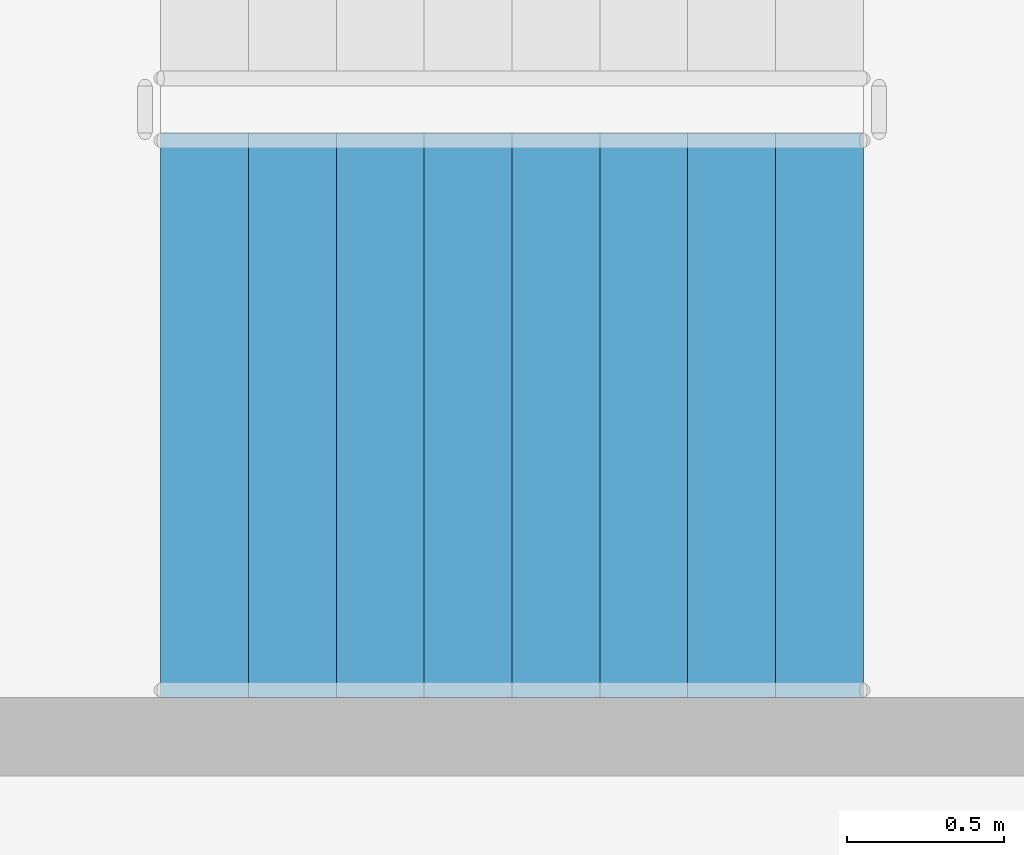
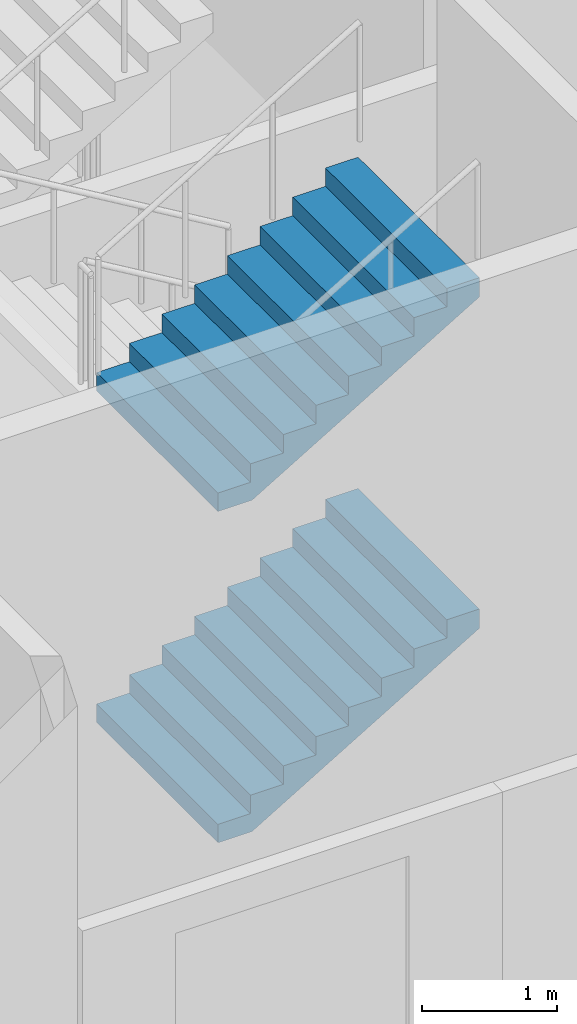
# One storey, part 15 of 39: 2 stair flights, 1 element without a shape of its own.
"""IFC4 building model written with IfcOpenShell, lengths in metres."""

from ifc_helpers import new_model, si_unit, direction, frame, origin, place, context, subcontext, project, spatial, triangles, material, type_object, element, aggregate, save


model = new_model("IFC4")

# Units and contexts
model_context = context("Model", 3, precision=1e-05, world=origin(), true_north=direction((0.0, 1.0)))
body_context = subcontext(model_context, "Body", "Model", "MODEL_VIEW")
ifc_project = project(units=[si_unit("LENGTHUNIT", "METRE"), si_unit("AREAUNIT", "SQUARE_METRE"), si_unit("VOLUMEUNIT", "CUBIC_METRE"), si_unit("PLANEANGLEUNIT", "RADIAN"), si_unit("MASSUNIT", "GRAM", prefix="KILO")], contexts=[model_context])

# Site, building, storey
site_placement = place(None, origin())
site = spatial("IfcSite", under=ifc_project, at=site_placement, CompositionType="ELEMENT")
building_placement = place(site_placement, origin())
building = spatial("IfcBuilding", under=site, at=building_placement, Name="Magnolia Steps Interchange", CompositionType="ELEMENT")
storey_placement = place(building_placement, frame((0.0, 0.0, -11.39990234375)))
storey = spatial("IfcBuildingStorey", under=building, at=storey_placement, Name="B2", CompositionType="ELEMENT", Elevation=-11.39990234375)

# Stair, stair flights
ifc_material_1 = material(Name="Concrete C40", Category="concrete")
stair_type = type_object("IfcStairType", Name="Exit stair 1800", PredefinedType="HALF_TURN_STAIR", material=ifc_material_1)
stair_placement = place(storey_placement, origin())
stair = element("IfcStair", 1, at=stair_placement, inside=storey, type_object=stair_type, Name="B2 Stair 9", PredefinedType="HALF_TURN_STAIR")
ifc_material_2 = material(Name="Concrete C40", Category="concrete")
stair_flight_type = type_object("IfcStairFlightType", Name="Exit stair flight", PredefinedType="STRAIGHT", material=ifc_material_2)
stair_flight_1_placement = place(storey_placement, frame((55.284912109375, 61.02490234375, 1.5), z_axis=(0.0, 0.0, 1.0), x_axis=(1.0, 0.0, 0.0)))
stair_flight_1 = element("IfcStairFlight", 2, at=stair_flight_1_placement, type_object=stair_flight_type, Name="Stair 9 flight 2", NumberOfRisers=9, NumberOfTreads=8, PredefinedType="STRAIGHT", RiserHeight=0.166666667, TreadLength=0.28, context=body_context, shape_type="Tessellation", body=[
    triangles([(0.0, -0.9000244140625, 0.0), (0.29296875, -0.9000244140625, 0.0), (2.239990234375, -0.9000244140625, 1.158935546875), (2.239990234375, -0.9000244140625, 1.333251953125), (1.9599609375, -0.9000244140625, 1.333251953125), (1.9599609375, -0.9000244140625, 1.166748046875), (1.679931640625, -0.9000244140625, 1.166748046875), (1.679931640625, -0.9000244140625, 1.0), (1.39990234375, -0.9000244140625, 1.0), (1.39990234375, -0.9000244140625, 0.833251953125), (1.1201171875, -0.9000244140625, 0.833251953125), (1.1201171875, -0.9000244140625, 0.666748046875), (0.840087890625, -0.9000244140625, 0.666748046875), (0.840087890625, -0.9000244140625, 0.5), (0.56005859375, -0.9000244140625, 0.5), (0.56005859375, -0.9000244140625, 0.333251953125), (0.280029296875, -0.9000244140625, 0.333251953125), (0.280029296875, -0.9000244140625, 0.166748046875), (0.0, -0.9000244140625, 0.166748046875), (0.0, 0.9000244140625, 0.0), (0.29296875, 0.9000244140625, 0.0), (2.239990234375, 0.9000244140625, 1.158935546875), (2.239990234375, 0.9000244140625, 1.333251953125), (1.9599609375, 0.9000244140625, 1.333251953125), (1.9599609375, 0.9000244140625, 1.166748046875), (1.679931640625, 0.9000244140625, 1.166748046875), (1.679931640625, 0.9000244140625, 1.0), (1.39990234375, 0.9000244140625, 1.0), (1.39990234375, 0.9000244140625, 0.833251953125), (1.1201171875, 0.9000244140625, 0.833251953125), (1.1201171875, 0.9000244140625, 0.666748046875), (0.840087890625, 0.9000244140625, 0.666748046875), (0.840087890625, 0.9000244140625, 0.5), (0.56005859375, 0.9000244140625, 0.5), (0.56005859375, 0.9000244140625, 0.333251953125), (0.280029296875, 0.9000244140625, 0.333251953125), (0.280029296875, 0.9000244140625, 0.166748046875), (0.0, 0.9000244140625, 0.166748046875), (0.0, 0.0, 0.0), (0.0, 0.0, 0.04168701171875), (0.0, 0.0, 0.0833740234375), (0.0, 0.0, 0.12506103515625), (0.0, 0.0, 0.166748046875), (0.0, -0.05, 0.0), (0.0, -0.05, 0.166748046875), (0.0, 0.05, 0.0), (0.0, 0.05, 0.166748046875), (0.046671549479166664, 0.0, 0.166748046875), (0.09334309895833333, 0.0, 0.166748046875), (0.1400146484375, 0.0, 0.166748046875), (0.18668619791666666, 0.0, 0.166748046875), (0.23335774739583334, 0.0, 0.166748046875), (0.280029296875, 0.0, 0.166748046875), (0.280029296875, -0.05, 0.166748046875), (0.280029296875, 0.05, 0.166748046875), (0.280029296875, 0.0, 0.2083740234375), (0.280029296875, 0.0, 0.25), (0.280029296875, 0.0, 0.2916259765625), (0.280029296875, 0.0, 0.333251953125), (0.280029296875, -0.05, 0.333251953125), (0.280029296875, 0.05, 0.333251953125), (0.3267008463541667, 0.0, 0.333251953125), (0.3733723958333333, 0.0, 0.333251953125), (0.4200439453125, 0.0, 0.333251953125), (0.46671549479166663, 0.0, 0.333251953125), (0.5133870442708334, 0.0, 0.333251953125), (0.56005859375, 0.0, 0.333251953125), (0.56005859375, -0.05, 0.333251953125), (0.56005859375, 0.05, 0.333251953125), (0.56005859375, 0.0, 0.37493896484375), (0.56005859375, 0.0, 0.4166259765625), (0.56005859375, 0.0, 0.45831298828125), (0.56005859375, 0.0, 0.5), (0.56005859375, -0.05, 0.5), (0.56005859375, 0.05, 0.5), (0.6067301432291666, 0.0, 0.5), (0.6534016927083334, 0.0, 0.5), (0.7000732421875, 0.0, 0.5), (0.7467447916666666, 0.0, 0.5), (0.7934163411458334, 0.0, 0.5), (0.840087890625, 0.0, 0.5), (0.840087890625, -0.05, 0.5), (0.840087890625, 0.05, 0.5), (0.840087890625, 0.0, 0.54168701171875), (0.840087890625, 0.0, 0.5833740234375), (0.840087890625, 0.0, 0.62506103515625), (0.840087890625, 0.0, 0.666748046875), (0.840087890625, -0.05, 0.666748046875), (0.840087890625, 0.05, 0.666748046875), (0.8867594401041666, 0.0, 0.666748046875), (0.9334309895833334, 0.0, 0.666748046875), (0.9801025390625, 0.0, 0.666748046875), (1.0267740885416667, 0.0, 0.666748046875), (1.0734456380208333, 0.0, 0.666748046875), (1.1201171875, 0.0, 0.666748046875), (1.1201171875, -0.05, 0.666748046875), (1.1201171875, 0.05, 0.666748046875), (1.1201171875, 0.0, 0.7083740234375), (1.1201171875, 0.0, 0.75), (1.1201171875, 0.0, 0.7916259765625), (1.1201171875, 0.0, 0.833251953125), (1.1201171875, -0.05, 0.833251953125), (1.1201171875, 0.05, 0.833251953125), (1.1900634765625, 0.0, 0.833251953125), (1.260009765625, 0.0, 0.833251953125), (1.3299560546875, 0.0, 0.833251953125), (1.39990234375, 0.0, 0.833251953125), (1.39990234375, -0.05, 0.833251953125), (1.39990234375, 0.05, 0.833251953125), (1.39990234375, 0.0, 0.87493896484375), (1.39990234375, 0.0, 0.9166259765625), (1.39990234375, 0.0, 0.95831298828125), (1.39990234375, 0.0, 1.0), (1.39990234375, -0.05, 1.0), (1.39990234375, 0.05, 1.0), (1.4465738932291667, 0.0, 1.0), (1.4932454427083333, 0.0, 1.0), (1.5399169921875, 0.0, 1.0), (1.5865885416666667, 0.0, 1.0), (1.6332600911458333, 0.0, 1.0), (1.679931640625, 0.0, 1.0), (1.679931640625, -0.05, 1.0), (1.679931640625, 0.05, 1.0), (1.679931640625, 0.0, 1.04168701171875), (1.679931640625, 0.0, 1.0833740234375), (1.679931640625, 0.0, 1.12506103515625), (1.679931640625, 0.0, 1.166748046875), (1.679931640625, -0.05, 1.166748046875), (1.679931640625, 0.05, 1.166748046875), (1.7266031901041667, 0.0, 1.166748046875), (1.7732747395833333, 0.0, 1.166748046875), (1.8199462890625, 0.0, 1.166748046875), (1.8666178385416667, 0.0, 1.166748046875), (1.9132893880208333, 0.0, 1.166748046875), (1.9599609375, 0.0, 1.166748046875), (1.9599609375, -0.05, 1.166748046875), (1.9599609375, 0.05, 1.166748046875), (1.9599609375, 0.0, 1.2083740234375), (1.9599609375, 0.0, 1.25), (1.9599609375, 0.0, 1.2916259765625), (1.9599609375, 0.0, 1.333251953125), (1.9599609375, -0.05, 1.333251953125), (1.9599609375, 0.05, 1.333251953125), (2.0066324869791665, 0.0, 1.333251953125), (2.0533040364583335, 0.0, 1.333251953125), (2.0999755859375, 0.0, 1.333251953125), (2.1466471354166665, 0.0, 1.333251953125), (2.1933186848958335, 0.0, 1.333251953125), (2.239990234375, 0.0, 1.333251953125), (2.239990234375, -0.05, 1.333251953125), (2.239990234375, 0.05, 1.333251953125), (2.239990234375, 0.0, 1.2896728515625), (2.239990234375, 0.0, 1.24609375), (2.239990234375, 0.0, 1.2025146484375), (2.239990234375, 0.0, 1.158935546875), (2.239990234375, -0.05, 1.158935546875), (2.239990234375, 0.05, 1.158935546875), (2.1827248965992645, 0.0, 1.1248492072610294), (2.1254595588235294, 0.0, 1.0907628676470589), (2.068194221047794, 0.0, 1.0566765280330883), (2.010928883272059, 0.0, 1.0225901884191178), (1.9536635454963236, 0.0, 0.9885038488051471), (1.8963982077205883, 0.0, 0.9544175091911764), (1.8391328699448528, 0.0, 0.9203311695772058), (1.7818675321691178, 0.0, 0.8862448299632353), (1.7246021943933822, 0.0, 0.8521584903492647), (1.6673368566176472, 0.0, 0.8180721507352942), (1.6100715188419117, 0.0, 0.7839858111213236), (1.5528061810661766, 0.0, 0.7498994715073529), (1.4955408432904411, 0.0, 0.7158131318933824), (1.4382755055147058, 0.0, 0.6817267922794117), (1.3810101677389706, 0.0, 0.6476404526654411), (1.3237448299632353, 0.0, 0.6135541130514706), (1.2664794921875, 0.0, 0.5794677734375), (1.2092141544117647, 0.0, 0.5453814338235294), (1.1519488166360294, 0.0, 0.5112950942095589), (1.0946834788602942, 0.0, 0.4772087545955882), (1.0374181410845589, 0.0, 0.44312241498161764), (0.9801528033088236, 0.0, 0.4090360753676471), (0.9228874655330883, 0.0, 0.3749497357536765), (0.865622127757353, 0.0, 0.34086339613970584), (0.8083567899816178, 0.0, 0.3067770565257353), (0.7510914522058822, 0.0, 0.2726907169117647), (0.693826114430147, 0.0, 0.23860437729779416), (0.6365607766544117, 0.0, 0.20451803768382348), (0.5792954388786764, 0.0, 0.17043169806985292), (0.5220301011029411, 0.0, 0.13634535845588225), (0.46476476332720584, 0.0, 0.10225901884191169), (0.40749942555147056, 0.0, 0.06817267922794112), (0.3502340877757353, 0.0, 0.03408633961397056), (0.29296875, 0.0, 0.0), (0.29296875, -0.05, 0.0), (0.29296875, 0.05, 0.0), (0.244140625, 0.0, 0.0), (0.1953125, 0.0, 0.0), (0.146484375, 0.0, 0.0), (0.09765625, 0.0, 0.0), (0.048828125, 0.0, 0.0)], [[1, 2, 3], [3, 4, 5], [3, 5, 6], [3, 6, 7], [3, 7, 8], [8, 9, 10], [3, 8, 10], [10, 11, 12], [3, 10, 12], [12, 13, 14], [3, 12, 14], [14, 15, 16], [3, 14, 16], [1, 3, 16], [16, 17, 18], [1, 16, 18], [18, 19, 1], [20, 22, 21], [22, 24, 23], [22, 25, 24], [22, 26, 25], [22, 27, 26], [27, 29, 28], [22, 29, 27], [29, 31, 30], [22, 31, 29], [31, 33, 32], [22, 33, 31], [33, 35, 34], [22, 35, 33], [20, 35, 22], [35, 37, 36], [20, 37, 35], [37, 20, 38], [1, 19, 45], [1, 45, 44], [44, 40, 39], [44, 41, 40], [44, 45, 41], [45, 42, 41], [45, 43, 42], [20, 47, 38], [20, 46, 47], [46, 39, 40], [46, 40, 41], [46, 41, 47], [47, 41, 42], [47, 42, 43], [19, 18, 54], [19, 54, 45], [45, 48, 43], [45, 49, 48], [45, 50, 49], [45, 54, 50], [54, 51, 50], [54, 52, 51], [54, 53, 52], [38, 55, 37], [38, 47, 55], [47, 43, 48], [47, 48, 49], [47, 49, 50], [47, 50, 55], [55, 50, 51], [55, 51, 52], [55, 52, 53], [18, 17, 60], [18, 60, 54], [54, 56, 53], [54, 57, 56], [54, 60, 57], [60, 58, 57], [60, 59, 58], [37, 61, 36], [37, 55, 61], [55, 53, 56], [55, 56, 57], [55, 57, 61], [61, 57, 58], [61, 58, 59], [17, 16, 68], [17, 68, 60], [60, 62, 59], [60, 63, 62], [60, 64, 63], [60, 68, 64], [68, 65, 64], [68, 66, 65], [68, 67, 66], [36, 69, 35], [36, 61, 69], [61, 59, 62], [61, 62, 63], [61, 63, 64], [61, 64, 69], [69, 64, 65], [69, 65, 66], [69, 66, 67], [16, 15, 74], [16, 74, 68], [68, 70, 67], [68, 71, 70], [68, 74, 71], [74, 72, 71], [74, 73, 72], [35, 75, 34], [35, 69, 75], [69, 67, 70], [69, 70, 71], [69, 71, 75], [75, 71, 72], [75, 72, 73], [15, 14, 82], [15, 82, 74], [74, 76, 73], [74, 77, 76], [74, 78, 77], [74, 82, 78], [82, 79, 78], [82, 80, 79], [82, 81, 80], [34, 83, 33], [34, 75, 83], [75, 73, 76], [75, 76, 77], [75, 77, 78], [75, 78, 83], [83, 78, 79], [83, 79, 80], [83, 80, 81], [14, 13, 88], [14, 88, 82], [82, 84, 81], [82, 85, 84], [82, 88, 85], [88, 86, 85], [88, 87, 86], [33, 89, 32], [33, 83, 89], [83, 81, 84], [83, 84, 85], [83, 85, 89], [89, 85, 86], [89, 86, 87], [13, 12, 96], [13, 96, 88], [88, 90, 87], [88, 91, 90], [88, 92, 91], [88, 96, 92], [96, 93, 92], [96, 94, 93], [96, 95, 94], [32, 97, 31], [32, 89, 97], [89, 87, 90], [89, 90, 91], [89, 91, 92], [89, 92, 97], [97, 92, 93], [97, 93, 94], [97, 94, 95], [12, 11, 102], [12, 102, 96], [96, 98, 95], [96, 99, 98], [96, 102, 99], [102, 100, 99], [102, 101, 100], [31, 103, 30], [31, 97, 103], [97, 95, 98], [97, 98, 99], [97, 99, 103], [103, 99, 100], [103, 100, 101], [11, 10, 108], [11, 108, 102], [102, 104, 101], [102, 105, 104], [102, 108, 105], [108, 106, 105], [108, 107, 106], [30, 109, 29], [30, 103, 109], [103, 101, 104], [103, 104, 105], [103, 105, 109], [109, 105, 106], [109, 106, 107], [10, 9, 114], [10, 114, 108], [108, 110, 107], [108, 111, 110], [108, 114, 111], [114, 112, 111], [114, 113, 112], [29, 115, 28], [29, 109, 115], [109, 107, 110], [109, 110, 111], [109, 111, 115], [115, 111, 112], [115, 112, 113], [9, 8, 122], [9, 122, 114], [114, 116, 113], [114, 117, 116], [114, 118, 117], [114, 122, 118], [122, 119, 118], [122, 120, 119], [122, 121, 120], [28, 123, 27], [28, 115, 123], [115, 113, 116], [115, 116, 117], [115, 117, 118], [115, 118, 123], [123, 118, 119], [123, 119, 120], [123, 120, 121], [8, 7, 128], [8, 128, 122], [122, 124, 121], [122, 125, 124], [122, 128, 125], [128, 126, 125], [128, 127, 126], [27, 129, 26], [27, 123, 129], [123, 121, 124], [123, 124, 125], [123, 125, 129], [129, 125, 126], [129, 126, 127], [7, 6, 136], [7, 136, 128], [128, 130, 127], [128, 131, 130], [128, 132, 131], [128, 136, 132], [136, 133, 132], [136, 134, 133], [136, 135, 134], [26, 137, 25], [26, 129, 137], [129, 127, 130], [129, 130, 131], [129, 131, 132], [129, 132, 137], [137, 132, 133], [137, 133, 134], [137, 134, 135], [6, 5, 142], [6, 142, 136], [136, 138, 135], [136, 139, 138], [136, 142, 139], [142, 140, 139], [142, 141, 140], [25, 143, 24], [25, 137, 143], [137, 135, 138], [137, 138, 139], [137, 139, 143], [143, 139, 140], [143, 140, 141], [5, 4, 150], [5, 150, 142], [142, 144, 141], [142, 145, 144], [142, 146, 145], [142, 150, 146], [150, 147, 146], [150, 148, 147], [150, 149, 148], [24, 151, 23], [24, 143, 151], [143, 141, 144], [143, 144, 145], [143, 145, 146], [143, 146, 151], [151, 146, 147], [151, 147, 148], [151, 148, 149], [4, 3, 156], [4, 156, 150], [150, 152, 149], [150, 153, 152], [150, 156, 153], [156, 154, 153], [156, 155, 154], [23, 157, 22], [23, 151, 157], [151, 149, 152], [151, 152, 153], [151, 153, 157], [157, 153, 154], [157, 154, 155], [3, 2, 192], [3, 192, 156], [156, 158, 155], [156, 159, 158], [156, 160, 159], [156, 161, 160], [156, 162, 161], [156, 163, 162], [156, 164, 163], [156, 165, 164], [156, 166, 165], [156, 167, 166], [156, 168, 167], [156, 169, 168], [156, 170, 169], [156, 171, 170], [156, 172, 171], [156, 173, 172], [156, 174, 173], [156, 192, 174], [192, 175, 174], [192, 176, 175], [192, 177, 176], [192, 178, 177], [192, 179, 178], [192, 180, 179], [192, 181, 180], [192, 182, 181], [192, 183, 182], [192, 184, 183], [192, 185, 184], [192, 186, 185], [192, 187, 186], [192, 188, 187], [192, 189, 188], [192, 190, 189], [192, 191, 190], [22, 193, 21], [22, 157, 193], [157, 155, 158], [157, 158, 159], [157, 159, 160], [157, 160, 161], [157, 161, 162], [157, 162, 163], [157, 163, 164], [157, 164, 165], [157, 165, 166], [157, 166, 167], [157, 167, 168], [157, 168, 169], [157, 169, 170], [157, 170, 171], [157, 171, 172], [157, 172, 173], [157, 173, 174], [157, 174, 193], [193, 174, 175], [193, 175, 176], [193, 176, 177], [193, 177, 178], [193, 178, 179], [193, 179, 180], [193, 180, 181], [193, 181, 182], [193, 182, 183], [193, 183, 184], [193, 184, 185], [193, 185, 186], [193, 186, 187], [193, 187, 188], [193, 188, 189], [193, 189, 190], [193, 190, 191], [2, 1, 44], [2, 44, 192], [192, 194, 191], [192, 195, 194], [192, 196, 195], [192, 44, 196], [44, 197, 196], [44, 198, 197], [44, 39, 198], [21, 46, 20], [21, 193, 46], [193, 191, 194], [193, 194, 195], [193, 195, 196], [193, 196, 46], [46, 196, 197], [46, 197, 198], [46, 198, 39]], closed=True),
])
stair_flight_2_placement = place(storey_placement, frame((55.284912109375, 61.02490234375, 4.5), z_axis=(0.0, 0.0, 1.0), x_axis=(1.0, 0.0, 0.0)))
stair_flight_2 = element("IfcStairFlight", 3, at=stair_flight_2_placement, type_object=stair_flight_type, Name="Stair 9 flight 4", NumberOfRisers=9, NumberOfTreads=8, PredefinedType="STRAIGHT", RiserHeight=0.166666667, TreadLength=0.28, context=body_context, shape_type="Tessellation", body=[
    triangles([(0.0, -0.9000244140625, 0.0), (0.29296875, -0.9000244140625, 0.0), (2.239990234375, -0.9000244140625, 1.158935546875), (2.239990234375, -0.9000244140625, 1.333251953125), (1.9599609375, -0.9000244140625, 1.333251953125), (1.9599609375, -0.9000244140625, 1.166748046875), (1.679931640625, -0.9000244140625, 1.166748046875), (1.679931640625, -0.9000244140625, 1.0), (1.39990234375, -0.9000244140625, 1.0), (1.39990234375, -0.9000244140625, 0.833251953125), (1.1201171875, -0.9000244140625, 0.833251953125), (1.1201171875, -0.9000244140625, 0.666748046875), (0.840087890625, -0.9000244140625, 0.666748046875), (0.840087890625, -0.9000244140625, 0.5), (0.56005859375, -0.9000244140625, 0.5), (0.56005859375, -0.9000244140625, 0.333251953125), (0.280029296875, -0.9000244140625, 0.333251953125), (0.280029296875, -0.9000244140625, 0.166748046875), (0.0, -0.9000244140625, 0.166748046875), (0.0, 0.9000244140625, 0.0), (0.29296875, 0.9000244140625, 0.0), (2.239990234375, 0.9000244140625, 1.158935546875), (2.239990234375, 0.9000244140625, 1.333251953125), (1.9599609375, 0.9000244140625, 1.333251953125), (1.9599609375, 0.9000244140625, 1.166748046875), (1.679931640625, 0.9000244140625, 1.166748046875), (1.679931640625, 0.9000244140625, 1.0), (1.39990234375, 0.9000244140625, 1.0), (1.39990234375, 0.9000244140625, 0.833251953125), (1.1201171875, 0.9000244140625, 0.833251953125), (1.1201171875, 0.9000244140625, 0.666748046875), (0.840087890625, 0.9000244140625, 0.666748046875), (0.840087890625, 0.9000244140625, 0.5), (0.56005859375, 0.9000244140625, 0.5), (0.56005859375, 0.9000244140625, 0.333251953125), (0.280029296875, 0.9000244140625, 0.333251953125), (0.280029296875, 0.9000244140625, 0.166748046875), (0.0, 0.9000244140625, 0.166748046875), (0.0, 0.0, 0.0), (0.0, 0.0, 0.04168701171875), (0.0, 0.0, 0.0833740234375), (0.0, 0.0, 0.12506103515625), (0.0, 0.0, 0.166748046875), (0.0, -0.05, 0.0), (0.0, -0.05, 0.166748046875), (0.0, 0.05, 0.0), (0.0, 0.05, 0.166748046875), (0.046671549479166664, 0.0, 0.166748046875), (0.09334309895833333, 0.0, 0.166748046875), (0.1400146484375, 0.0, 0.166748046875), (0.18668619791666666, 0.0, 0.166748046875), (0.23335774739583334, 0.0, 0.166748046875), (0.280029296875, 0.0, 0.166748046875), (0.280029296875, -0.05, 0.166748046875), (0.280029296875, 0.05, 0.166748046875), (0.280029296875, 0.0, 0.2083740234375), (0.280029296875, 0.0, 0.25), (0.280029296875, 0.0, 0.2916259765625), (0.280029296875, 0.0, 0.333251953125), (0.280029296875, -0.05, 0.333251953125), (0.280029296875, 0.05, 0.333251953125), (0.3267008463541667, 0.0, 0.333251953125), (0.3733723958333333, 0.0, 0.333251953125), (0.4200439453125, 0.0, 0.333251953125), (0.46671549479166663, 0.0, 0.333251953125), (0.5133870442708334, 0.0, 0.333251953125), (0.56005859375, 0.0, 0.333251953125), (0.56005859375, -0.05, 0.333251953125), (0.56005859375, 0.05, 0.333251953125), (0.56005859375, 0.0, 0.37493896484375), (0.56005859375, 0.0, 0.4166259765625), (0.56005859375, 0.0, 0.45831298828125), (0.56005859375, 0.0, 0.5), (0.56005859375, -0.05, 0.5), (0.56005859375, 0.05, 0.5), (0.6067301432291666, 0.0, 0.5), (0.6534016927083334, 0.0, 0.5), (0.7000732421875, 0.0, 0.5), (0.7467447916666666, 0.0, 0.5), (0.7934163411458334, 0.0, 0.5), (0.840087890625, 0.0, 0.5), (0.840087890625, -0.05, 0.5), (0.840087890625, 0.05, 0.5), (0.840087890625, 0.0, 0.54168701171875), (0.840087890625, 0.0, 0.5833740234375), (0.840087890625, 0.0, 0.62506103515625), (0.840087890625, 0.0, 0.666748046875), (0.840087890625, -0.05, 0.666748046875), (0.840087890625, 0.05, 0.666748046875), (0.8867594401041666, 0.0, 0.666748046875), (0.9334309895833334, 0.0, 0.666748046875), (0.9801025390625, 0.0, 0.666748046875), (1.0267740885416667, 0.0, 0.666748046875), (1.0734456380208333, 0.0, 0.666748046875), (1.1201171875, 0.0, 0.666748046875), (1.1201171875, -0.05, 0.666748046875), (1.1201171875, 0.05, 0.666748046875), (1.1201171875, 0.0, 0.7083740234375), (1.1201171875, 0.0, 0.75), (1.1201171875, 0.0, 0.7916259765625), (1.1201171875, 0.0, 0.833251953125), (1.1201171875, -0.05, 0.833251953125), (1.1201171875, 0.05, 0.833251953125), (1.1900634765625, 0.0, 0.833251953125), (1.260009765625, 0.0, 0.833251953125), (1.3299560546875, 0.0, 0.833251953125), (1.39990234375, 0.0, 0.833251953125), (1.39990234375, -0.05, 0.833251953125), (1.39990234375, 0.05, 0.833251953125), (1.39990234375, 0.0, 0.87493896484375), (1.39990234375, 0.0, 0.9166259765625), (1.39990234375, 0.0, 0.95831298828125), (1.39990234375, 0.0, 1.0), (1.39990234375, -0.05, 1.0), (1.39990234375, 0.05, 1.0), (1.4465738932291667, 0.0, 1.0), (1.4932454427083333, 0.0, 1.0), (1.5399169921875, 0.0, 1.0), (1.5865885416666667, 0.0, 1.0), (1.6332600911458333, 0.0, 1.0), (1.679931640625, 0.0, 1.0), (1.679931640625, -0.05, 1.0), (1.679931640625, 0.05, 1.0), (1.679931640625, 0.0, 1.04168701171875), (1.679931640625, 0.0, 1.0833740234375), (1.679931640625, 0.0, 1.12506103515625), (1.679931640625, 0.0, 1.166748046875), (1.679931640625, -0.05, 1.166748046875), (1.679931640625, 0.05, 1.166748046875), (1.7266031901041667, 0.0, 1.166748046875), (1.7732747395833333, 0.0, 1.166748046875), (1.8199462890625, 0.0, 1.166748046875), (1.8666178385416667, 0.0, 1.166748046875), (1.9132893880208333, 0.0, 1.166748046875), (1.9599609375, 0.0, 1.166748046875), (1.9599609375, -0.05, 1.166748046875), (1.9599609375, 0.05, 1.166748046875), (1.9599609375, 0.0, 1.2083740234375), (1.9599609375, 0.0, 1.25), (1.9599609375, 0.0, 1.2916259765625), (1.9599609375, 0.0, 1.333251953125), (1.9599609375, -0.05, 1.333251953125), (1.9599609375, 0.05, 1.333251953125), (2.0066324869791665, 0.0, 1.333251953125), (2.0533040364583335, 0.0, 1.333251953125), (2.0999755859375, 0.0, 1.333251953125), (2.1466471354166665, 0.0, 1.333251953125), (2.1933186848958335, 0.0, 1.333251953125), (2.239990234375, 0.0, 1.333251953125), (2.239990234375, -0.05, 1.333251953125), (2.239990234375, 0.05, 1.333251953125), (2.239990234375, 0.0, 1.2896728515625), (2.239990234375, 0.0, 1.24609375), (2.239990234375, 0.0, 1.2025146484375), (2.239990234375, 0.0, 1.158935546875), (2.239990234375, -0.05, 1.158935546875), (2.239990234375, 0.05, 1.158935546875), (2.1827248965992645, 0.0, 1.1248492072610294), (2.1254595588235294, 0.0, 1.0907628676470589), (2.068194221047794, 0.0, 1.0566765280330883), (2.010928883272059, 0.0, 1.0225901884191178), (1.9536635454963236, 0.0, 0.9885038488051471), (1.8963982077205883, 0.0, 0.9544175091911764), (1.8391328699448528, 0.0, 0.9203311695772058), (1.7818675321691178, 0.0, 0.8862448299632353), (1.7246021943933822, 0.0, 0.8521584903492647), (1.6673368566176472, 0.0, 0.8180721507352942), (1.6100715188419117, 0.0, 0.7839858111213236), (1.5528061810661766, 0.0, 0.7498994715073529), (1.4955408432904411, 0.0, 0.7158131318933824), (1.4382755055147058, 0.0, 0.6817267922794117), (1.3810101677389706, 0.0, 0.6476404526654411), (1.3237448299632353, 0.0, 0.6135541130514706), (1.2664794921875, 0.0, 0.5794677734375), (1.2092141544117647, 0.0, 0.5453814338235294), (1.1519488166360294, 0.0, 0.5112950942095589), (1.0946834788602942, 0.0, 0.4772087545955882), (1.0374181410845589, 0.0, 0.44312241498161764), (0.9801528033088236, 0.0, 0.4090360753676471), (0.9228874655330883, 0.0, 0.3749497357536765), (0.865622127757353, 0.0, 0.34086339613970584), (0.8083567899816178, 0.0, 0.3067770565257353), (0.7510914522058822, 0.0, 0.2726907169117647), (0.693826114430147, 0.0, 0.23860437729779416), (0.6365607766544117, 0.0, 0.20451803768382348), (0.5792954388786764, 0.0, 0.17043169806985292), (0.5220301011029411, 0.0, 0.13634535845588225), (0.46476476332720584, 0.0, 0.10225901884191169), (0.40749942555147056, 0.0, 0.06817267922794112), (0.3502340877757353, 0.0, 0.03408633961397056), (0.29296875, 0.0, 0.0), (0.29296875, -0.05, 0.0), (0.29296875, 0.05, 0.0), (0.244140625, 0.0, 0.0), (0.1953125, 0.0, 0.0), (0.146484375, 0.0, 0.0), (0.09765625, 0.0, 0.0), (0.048828125, 0.0, 0.0)], [[1, 2, 3], [3, 4, 5], [3, 5, 6], [3, 6, 7], [3, 7, 8], [8, 9, 10], [3, 8, 10], [10, 11, 12], [3, 10, 12], [12, 13, 14], [3, 12, 14], [14, 15, 16], [3, 14, 16], [1, 3, 16], [16, 17, 18], [1, 16, 18], [18, 19, 1], [20, 22, 21], [22, 24, 23], [22, 25, 24], [22, 26, 25], [22, 27, 26], [27, 29, 28], [22, 29, 27], [29, 31, 30], [22, 31, 29], [31, 33, 32], [22, 33, 31], [33, 35, 34], [22, 35, 33], [20, 35, 22], [35, 37, 36], [20, 37, 35], [37, 20, 38], [1, 19, 45], [1, 45, 44], [44, 40, 39], [44, 41, 40], [44, 45, 41], [45, 42, 41], [45, 43, 42], [20, 47, 38], [20, 46, 47], [46, 39, 40], [46, 40, 41], [46, 41, 47], [47, 41, 42], [47, 42, 43], [19, 18, 54], [19, 54, 45], [45, 48, 43], [45, 49, 48], [45, 50, 49], [45, 54, 50], [54, 51, 50], [54, 52, 51], [54, 53, 52], [38, 55, 37], [38, 47, 55], [47, 43, 48], [47, 48, 49], [47, 49, 50], [47, 50, 55], [55, 50, 51], [55, 51, 52], [55, 52, 53], [18, 17, 60], [18, 60, 54], [54, 56, 53], [54, 57, 56], [54, 60, 57], [60, 58, 57], [60, 59, 58], [37, 61, 36], [37, 55, 61], [55, 53, 56], [55, 56, 57], [55, 57, 61], [61, 57, 58], [61, 58, 59], [17, 16, 68], [17, 68, 60], [60, 62, 59], [60, 63, 62], [60, 64, 63], [60, 68, 64], [68, 65, 64], [68, 66, 65], [68, 67, 66], [36, 69, 35], [36, 61, 69], [61, 59, 62], [61, 62, 63], [61, 63, 64], [61, 64, 69], [69, 64, 65], [69, 65, 66], [69, 66, 67], [16, 15, 74], [16, 74, 68], [68, 70, 67], [68, 71, 70], [68, 74, 71], [74, 72, 71], [74, 73, 72], [35, 75, 34], [35, 69, 75], [69, 67, 70], [69, 70, 71], [69, 71, 75], [75, 71, 72], [75, 72, 73], [15, 14, 82], [15, 82, 74], [74, 76, 73], [74, 77, 76], [74, 78, 77], [74, 82, 78], [82, 79, 78], [82, 80, 79], [82, 81, 80], [34, 83, 33], [34, 75, 83], [75, 73, 76], [75, 76, 77], [75, 77, 78], [75, 78, 83], [83, 78, 79], [83, 79, 80], [83, 80, 81], [14, 13, 88], [14, 88, 82], [82, 84, 81], [82, 85, 84], [82, 88, 85], [88, 86, 85], [88, 87, 86], [33, 89, 32], [33, 83, 89], [83, 81, 84], [83, 84, 85], [83, 85, 89], [89, 85, 86], [89, 86, 87], [13, 12, 96], [13, 96, 88], [88, 90, 87], [88, 91, 90], [88, 92, 91], [88, 96, 92], [96, 93, 92], [96, 94, 93], [96, 95, 94], [32, 97, 31], [32, 89, 97], [89, 87, 90], [89, 90, 91], [89, 91, 92], [89, 92, 97], [97, 92, 93], [97, 93, 94], [97, 94, 95], [12, 11, 102], [12, 102, 96], [96, 98, 95], [96, 99, 98], [96, 102, 99], [102, 100, 99], [102, 101, 100], [31, 103, 30], [31, 97, 103], [97, 95, 98], [97, 98, 99], [97, 99, 103], [103, 99, 100], [103, 100, 101], [11, 10, 108], [11, 108, 102], [102, 104, 101], [102, 105, 104], [102, 108, 105], [108, 106, 105], [108, 107, 106], [30, 109, 29], [30, 103, 109], [103, 101, 104], [103, 104, 105], [103, 105, 109], [109, 105, 106], [109, 106, 107], [10, 9, 114], [10, 114, 108], [108, 110, 107], [108, 111, 110], [108, 114, 111], [114, 112, 111], [114, 113, 112], [29, 115, 28], [29, 109, 115], [109, 107, 110], [109, 110, 111], [109, 111, 115], [115, 111, 112], [115, 112, 113], [9, 8, 122], [9, 122, 114], [114, 116, 113], [114, 117, 116], [114, 118, 117], [114, 122, 118], [122, 119, 118], [122, 120, 119], [122, 121, 120], [28, 123, 27], [28, 115, 123], [115, 113, 116], [115, 116, 117], [115, 117, 118], [115, 118, 123], [123, 118, 119], [123, 119, 120], [123, 120, 121], [8, 7, 128], [8, 128, 122], [122, 124, 121], [122, 125, 124], [122, 128, 125], [128, 126, 125], [128, 127, 126], [27, 129, 26], [27, 123, 129], [123, 121, 124], [123, 124, 125], [123, 125, 129], [129, 125, 126], [129, 126, 127], [7, 6, 136], [7, 136, 128], [128, 130, 127], [128, 131, 130], [128, 132, 131], [128, 136, 132], [136, 133, 132], [136, 134, 133], [136, 135, 134], [26, 137, 25], [26, 129, 137], [129, 127, 130], [129, 130, 131], [129, 131, 132], [129, 132, 137], [137, 132, 133], [137, 133, 134], [137, 134, 135], [6, 5, 142], [6, 142, 136], [136, 138, 135], [136, 139, 138], [136, 142, 139], [142, 140, 139], [142, 141, 140], [25, 143, 24], [25, 137, 143], [137, 135, 138], [137, 138, 139], [137, 139, 143], [143, 139, 140], [143, 140, 141], [5, 4, 150], [5, 150, 142], [142, 144, 141], [142, 145, 144], [142, 146, 145], [142, 150, 146], [150, 147, 146], [150, 148, 147], [150, 149, 148], [24, 151, 23], [24, 143, 151], [143, 141, 144], [143, 144, 145], [143, 145, 146], [143, 146, 151], [151, 146, 147], [151, 147, 148], [151, 148, 149], [4, 3, 156], [4, 156, 150], [150, 152, 149], [150, 153, 152], [150, 156, 153], [156, 154, 153], [156, 155, 154], [23, 157, 22], [23, 151, 157], [151, 149, 152], [151, 152, 153], [151, 153, 157], [157, 153, 154], [157, 154, 155], [3, 2, 192], [3, 192, 156], [156, 158, 155], [156, 159, 158], [156, 160, 159], [156, 161, 160], [156, 162, 161], [156, 163, 162], [156, 164, 163], [156, 165, 164], [156, 166, 165], [156, 167, 166], [156, 168, 167], [156, 169, 168], [156, 170, 169], [156, 171, 170], [156, 172, 171], [156, 173, 172], [156, 174, 173], [156, 192, 174], [192, 175, 174], [192, 176, 175], [192, 177, 176], [192, 178, 177], [192, 179, 178], [192, 180, 179], [192, 181, 180], [192, 182, 181], [192, 183, 182], [192, 184, 183], [192, 185, 184], [192, 186, 185], [192, 187, 186], [192, 188, 187], [192, 189, 188], [192, 190, 189], [192, 191, 190], [22, 193, 21], [22, 157, 193], [157, 155, 158], [157, 158, 159], [157, 159, 160], [157, 160, 161], [157, 161, 162], [157, 162, 163], [157, 163, 164], [157, 164, 165], [157, 165, 166], [157, 166, 167], [157, 167, 168], [157, 168, 169], [157, 169, 170], [157, 170, 171], [157, 171, 172], [157, 172, 173], [157, 173, 174], [157, 174, 193], [193, 174, 175], [193, 175, 176], [193, 176, 177], [193, 177, 178], [193, 178, 179], [193, 179, 180], [193, 180, 181], [193, 181, 182], [193, 182, 183], [193, 183, 184], [193, 184, 185], [193, 185, 186], [193, 186, 187], [193, 187, 188], [193, 188, 189], [193, 189, 190], [193, 190, 191], [2, 1, 44], [2, 44, 192], [192, 194, 191], [192, 195, 194], [192, 196, 195], [192, 44, 196], [44, 197, 196], [44, 198, 197], [44, 39, 198], [21, 46, 20], [21, 193, 46], [193, 191, 194], [193, 194, 195], [193, 195, 196], [193, 196, 46], [46, 196, 197], [46, 197, 198], [46, 198, 39]], closed=True),
])
aggregate(stair, [stair_flight_1, stair_flight_2])

save(model, "model.ifc")
